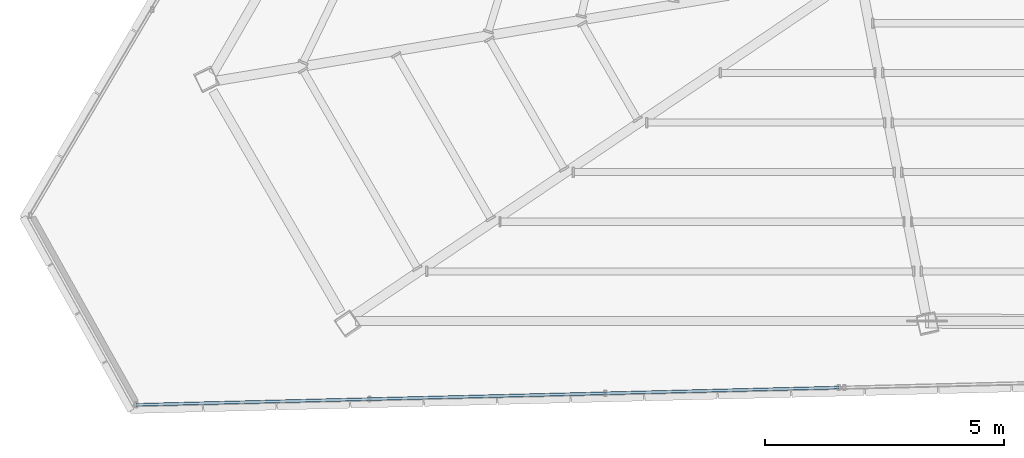
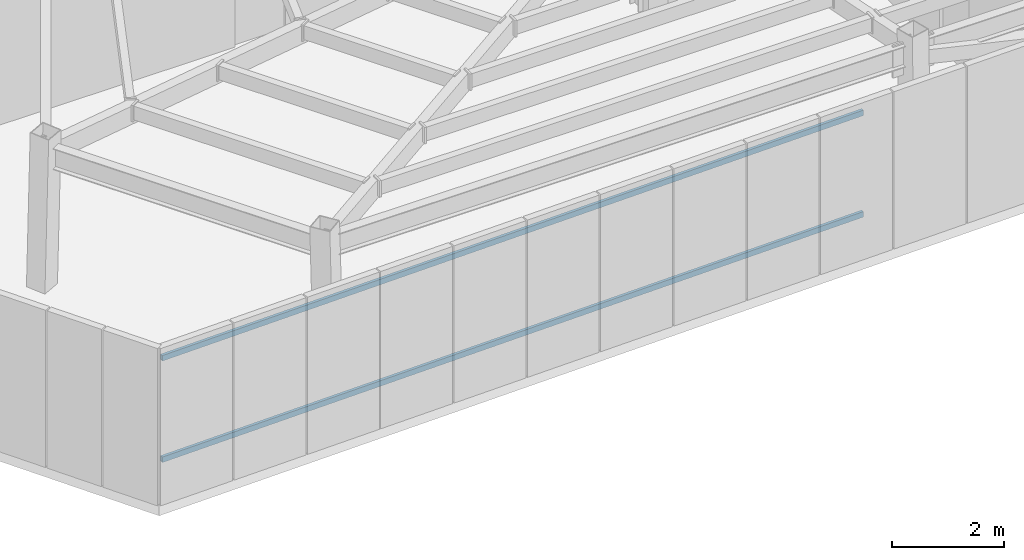
# One storey, part 4 of 47: 2 members, 1 element without a shape of its own.
"""IFC4 building model written with IfcOpenShell, lengths in metres."""

from ifc_helpers import new_model, si_unit, direction, frame, origin, origin_2d, place, context, subcontext, project, spatial, hollow_rectangle, extrude, source, transform, mapped, material, material_profile, profile_set, type_object, type_shapes, element, aggregate, save


model = new_model("IFC4")

# Units and contexts
model_context = context("Model", 3, precision=1e-05, world=origin(), true_north=direction((0.0, 1.0)))
body_context = subcontext(model_context, "Body", "Model", "MODEL_VIEW")
ifc_project = project(units=[si_unit("LENGTHUNIT", "METRE"), si_unit("AREAUNIT", "SQUARE_METRE"), si_unit("VOLUMEUNIT", "CUBIC_METRE"), si_unit("PLANEANGLEUNIT", "RADIAN"), si_unit("MASSUNIT", "GRAM", prefix="KILO")], contexts=[model_context])

# Site, building, storey
site_placement = place(None, origin())
site = spatial("IfcSite", under=ifc_project, at=site_placement, CompositionType="ELEMENT")
building_placement = place(site_placement, origin())
building = spatial("IfcBuilding", under=site, at=building_placement, Name="Caelisora Broadcast Tower", CompositionType="ELEMENT")
storey_placement = place(building_placement, frame((0.0, 0.0, 293.199951171875)))
storey = spatial("IfcBuildingStorey", under=building, at=storey_placement, Name="L77", CompositionType="ELEMENT", Elevation=293.199951171875)

# Curtain wall, members
ifc_material_1 = material(Name="Unitised Aluminium Insulated Shadow-Box Spandrel Curtain Wall", Category="aluminium")
curtain_wall_type = type_object("IfcCurtainWallType", Name="CW-SP3", PredefinedType="NOTDEFINED", material=ifc_material_1)
curtain_wall_placement = place(storey_placement, origin())
curtain_wall = element("IfcCurtainWall", 1, at=curtain_wall_placement, inside=storey, type_object=curtain_wall_type, Name="L77 curtain wall CW-SP3", PredefinedType="NOTDEFINED")
ifc_material_2 = material(Name="Aluminium 6063-T6 Anodised Terracotta Bronze", Category="aluminium")
ifc_material_profile = material_profile(ifc_material_2, hollow_rectangle(XDim=0.06005859375, YDim=0.1201171875, WallThickness=0.0029296875, at=origin_2d()), Name="Aluminium 6063-T6 Anodised Terracotta Bronze")
ifc_profile_set = profile_set([ifc_material_profile], Name="Aluminium 6063-T6 Anodised Terracotta Bronze")
member_type = type_object("IfcMemberType", Name="CWT-03", PredefinedType="USERDEFINED", material=ifc_profile_set)
shared_shape = source(origin(), body_context, "Body", "SweptSolid", [
    extrude(hollow_rectangle(XDim=0.06005859375, YDim=0.1201171875, WallThickness=0.0029296875, at=origin_2d()), origin(), (0.0, 0.0, 1.0), 14.719482421875),
])
type_shapes(member_type, [shared_shape])
member_1_placement = place(storey_placement, frame((30.069091796875, 8.734375, 0.85009765625), z_axis=(-0.999697441363, -0.024597270843, 0.0), x_axis=(0.024597270843, -0.999697441363, 0.0)))
member_1 = element("IfcMember", 2, at=member_1_placement, type_object=member_type, Name="L77-CW-B07 transom #1", ObjectType="TRANSOM", PredefinedType="USERDEFINED", context=body_context, shape_type="MappedRepresentation", body=[
    mapped(shared_shape, transform((0.0, 0.0, 0.0), scale=1.0)),
])
member_2_placement = place(storey_placement, frame((30.069091796875, 8.734375, 3.070068359375), z_axis=(-0.999697441363, -0.024597270843, 0.0), x_axis=(0.024597270843, -0.999697441363, 0.0)))
member_2 = element("IfcMember", 3, at=member_2_placement, type_object=member_type, Name="L77-CW-B07 transom #2", ObjectType="TRANSOM", PredefinedType="USERDEFINED", context=body_context, shape_type="MappedRepresentation", body=[
    mapped(shared_shape, transform((0.0, 0.0, 0.0), scale=1.0)),
])
aggregate(curtain_wall, [member_1, member_2])

save(model, "model.ifc")
